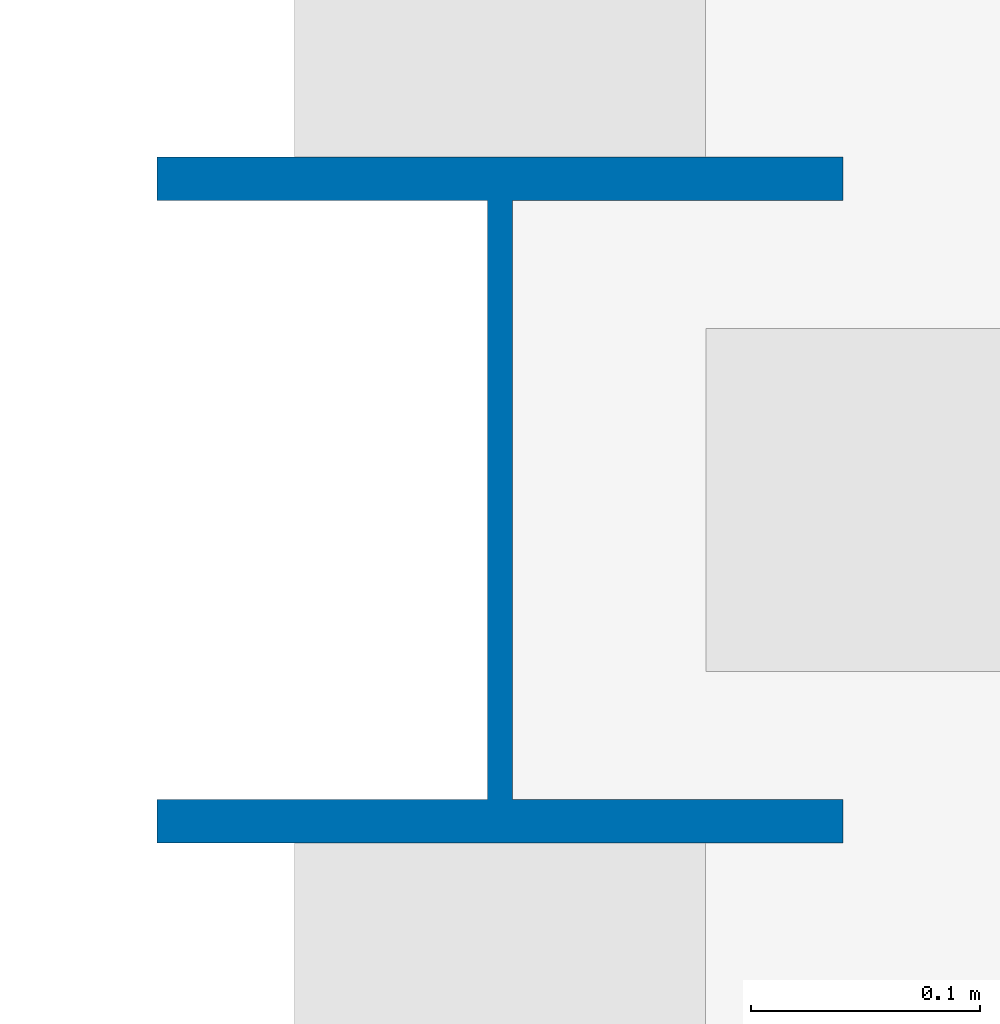
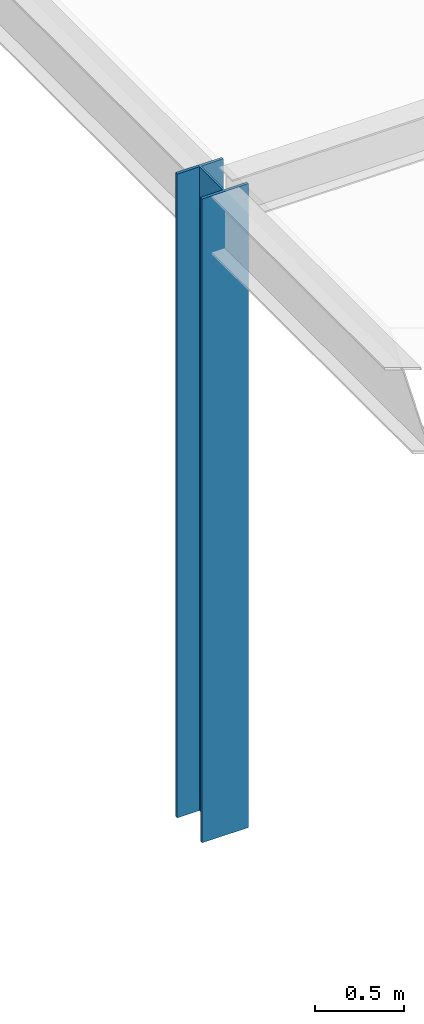
# One storey, part 11 of 80: 1 column.
"""IFC4 building model written with IfcOpenShell, lengths in metres."""

from ifc_helpers import new_model, si_unit, direction, frame, origin, origin_2d, place, context, subcontext, project, spatial, i_section, extrude, material, material_profile, profile_set, type_object, element, save


model = new_model("IFC4")

# Units and contexts
model_context = context("Model", 3, precision=1e-05, world=origin(), true_north=direction((0.0, 1.0)))
body_context = subcontext(model_context, "Body", "Model", "MODEL_VIEW")
ifc_project = project(units=[si_unit("LENGTHUNIT", "METRE"), si_unit("AREAUNIT", "SQUARE_METRE"), si_unit("VOLUMEUNIT", "CUBIC_METRE"), si_unit("PLANEANGLEUNIT", "RADIAN"), si_unit("MASSUNIT", "GRAM", prefix="KILO")], contexts=[model_context])

# Site, building, storey
site_placement = place(None, origin())
site = spatial("IfcSite", under=ifc_project, at=site_placement, CompositionType="ELEMENT")
building_placement = place(site_placement, origin())
building = spatial("IfcBuilding", under=site, at=building_placement, Name="Krzemoval Escarpment Law Courts", CompositionType="ELEMENT")
storey_placement = place(building_placement, origin())
storey = spatial("IfcBuildingStorey", under=building, at=storey_placement, Name="L00", CompositionType="ELEMENT", Elevation=0.0)

# Column
ifc_material = material(Name="Steel S355", Category="steel")
ifc_material_profile = material_profile(ifc_material, i_section(OverallWidth=0.300048828125, OverallDepth=0.300048828125, WebThickness=0.010986328125, FlangeThickness=0.01904296875, at=origin_2d()), Name="HEB 300")
ifc_profile_set = profile_set([ifc_material_profile], Name="Steel S355")
column_type = type_object("IfcColumnType", Name="COL-S355-HEB300", PredefinedType="COLUMN", material=ifc_profile_set)
column_placement = place(storey_placement, frame((126.0, 57.60009765625, 0.0), z_axis=(0.0, 0.0, 1.0), x_axis=(1.0, 0.0, 0.0)))
element("IfcColumn", 1, at=column_placement, inside=storey, type_object=column_type, Name="Passage Canopy Column L00 126", PredefinedType="COLUMN", context=body_context, shape_type="SweptSolid", body=[
    extrude(i_section(OverallWidth=0.300048828125, OverallDepth=0.300048828125, WebThickness=0.010986328125, FlangeThickness=0.01904296875, at=origin_2d()), origin(), (0.0, 0.0, 1.0), 4.419921875),
])

save(model, "model.ifc")
